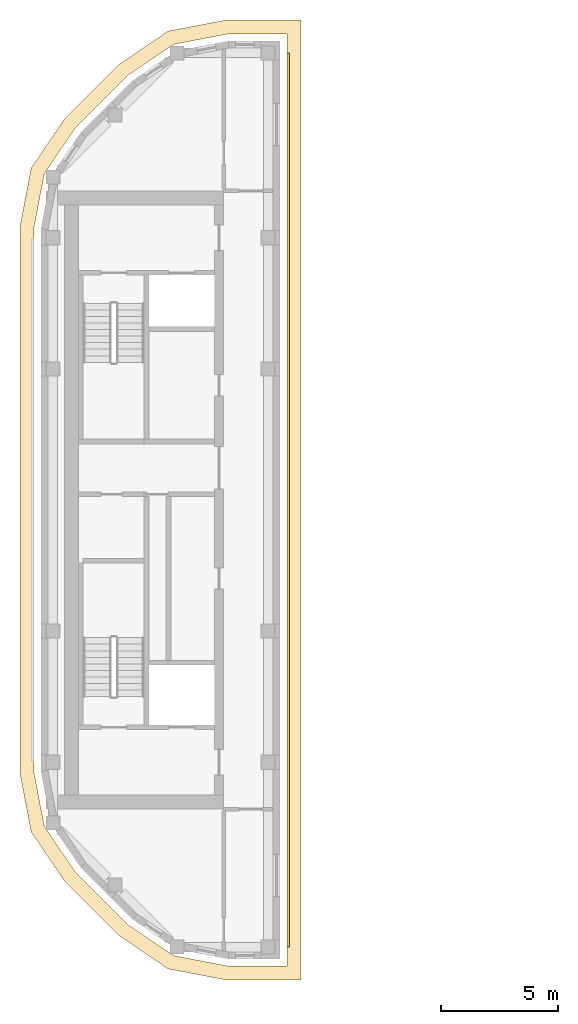
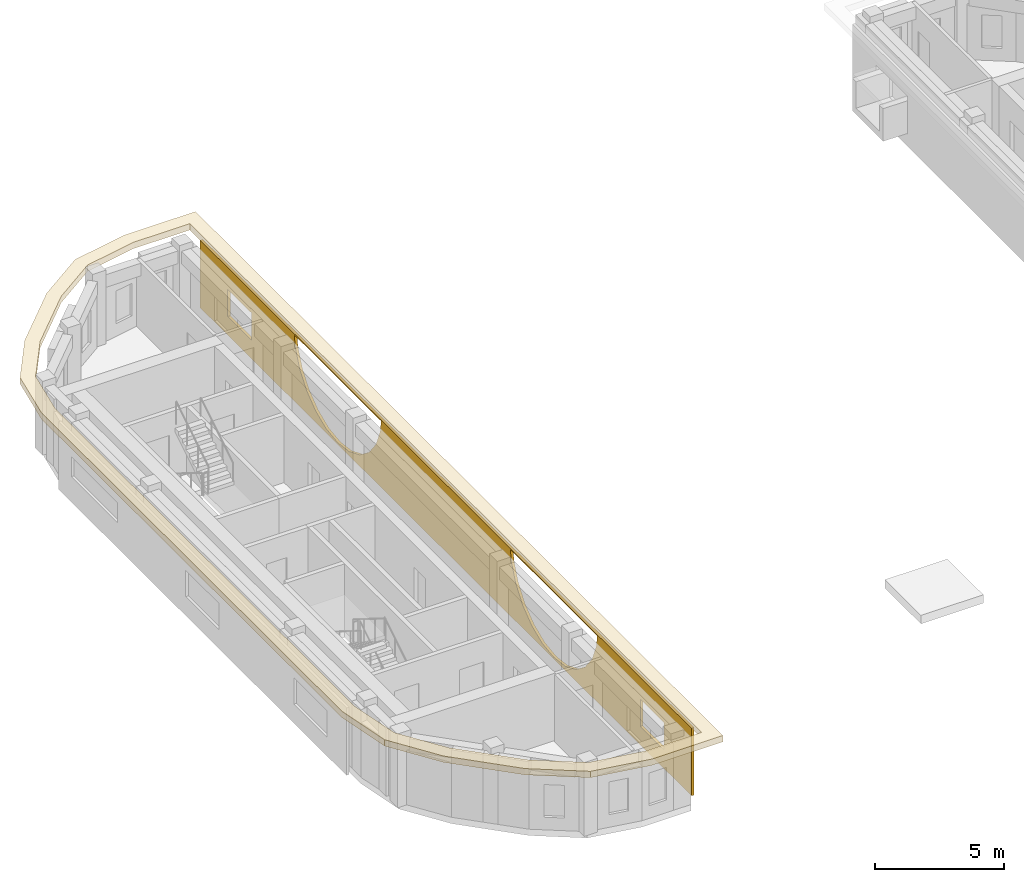
# One storey, part 7 of 11: 2 coverings.
"""IFC4 building model written with IfcOpenShell, lengths in metres."""

from ifc_helpers import new_model, si_unit, direction, frame, origin, place, context, subcontext, project, spatial, polyline, outline, extrude, material, layer, layer_set, type_object, element, save


model = new_model("IFC4")

# Units and contexts
model_context = context("Model", 3, precision=1e-05, world=origin(), true_north=direction((0.0, 1.0)))
body_context = subcontext(model_context, "Body", "Model", "MODEL_VIEW")
ifc_project = project(units=[si_unit("LENGTHUNIT", "METRE"), si_unit("AREAUNIT", "SQUARE_METRE"), si_unit("VOLUMEUNIT", "CUBIC_METRE"), si_unit("PLANEANGLEUNIT", "RADIAN"), si_unit("MASSUNIT", "GRAM", prefix="KILO")], contexts=[model_context])

# Site, building, storey
site_placement = place(None, origin())
site = spatial("IfcSite", under=ifc_project, at=site_placement, CompositionType="ELEMENT")
building_placement = place(site_placement, origin())
building = spatial("IfcBuilding", under=site, at=building_placement, Name="Kiln Ring Residences", CompositionType="ELEMENT")
storey_placement = place(building_placement, frame((0.0, 0.0, 303.39990234375)))
storey = spatial("IfcBuildingStorey", under=building, at=storey_placement, Name="L78 Crown", CompositionType="ELEMENT", Elevation=303.39990234375)

# Coverings
ifc_material_1 = material(Name="Brick masonry, dark clay brick", Category="masonry")
ifc_layer_1 = layer(ifc_material_1, 0.1201171875)
ifc_layer_set_1 = layer_set([ifc_layer_1], Name="RAINSCREEN PANEL 120")
covering_type_1 = type_object("IfcCoveringType", Name="RAINSCREEN PANEL 120", PredefinedType="CLADDING", material=ifc_layer_set_1)
covering_1_placement = place(storey_placement, frame((-14.639892578125, -19.10009765625, 0.0), z_axis=(0.0, 0.0, 1.0), x_axis=(0.0, 1.0, 0.0)))
element("IfcCovering", 1, at=covering_1_placement, inside=storey, type_object=covering_type_1, Name="RAINSCREEN L78 Crown", PredefinedType="CLADDING", context=body_context, shape_type="SweptSolid", body=[
    extrude(outline(polyline([(0.0, 0.0), (38.199951171875, 0.0), (38.199951171875, 3.2001953125), (0.0, 3.2001953125), (0.0, 0.0)]), holes=[polyline([(2.142578125, 0.880126953125), (3.982421875, 0.880126953125), (3.982421875, 2.170166015625), (2.142578125, 2.170166015625), (2.142578125, 0.880126953125)]), polyline([(36.0576171875, 0.880126953125), (36.0576171875, 2.170166015625), (34.217529296875, 2.170166015625), (34.217529296875, 0.880126953125), (36.0576171875, 0.880126953125)]), polyline([(12.409912109375, 0.538330078125), (13.118408203125, 1.081787109375), (13.661865234375, 1.7900390625), (14.00341796875, 2.614990234375), (14.073974609375, 3.150146484375), (7.326171875, 3.150146484375), (7.396484375, 2.614990234375), (7.73828125, 1.7900390625), (8.28173828125, 1.081787109375), (8.989990234375, 0.538330078125), (9.814697265625, 0.196533203125), (10.699951171875, 0.080078125), (11.585205078125, 0.196533203125), (12.409912109375, 0.538330078125)]), polyline([(29.2099609375, 0.538330078125), (29.918212890625, 1.081787109375), (30.4619140625, 1.7900390625), (30.803466796875, 2.614990234375), (30.873779296875, 3.150146484375), (24.126220703125, 3.150146484375), (24.196533203125, 2.614990234375), (24.5380859375, 1.7900390625), (25.081787109375, 1.081787109375), (25.7900390625, 0.538330078125), (26.61474609375, 0.196533203125), (27.5, 0.080078125), (28.38525390625, 0.196533203125), (29.2099609375, 0.538330078125)])]), frame((0.0, 0.06005859375, 0.0), z_axis=(0.0, -1.0, 0.0), x_axis=(1.0, 0.0, 0.0)), (0.0, 0.0, 1.0), 0.1201171875),
])
ifc_material_2 = material(Name="Black powder-coated steel", Category="steel")
ifc_layer_2 = layer(ifc_material_2, 0.300048828125)
ifc_layer_set_2 = layer_set([ifc_layer_2], Name="SUNSHADE FIN 600")
covering_type_2 = type_object("IfcCoveringType", Name="SUNSHADE FIN 600", PredefinedType="CLADDING", material=ifc_layer_set_2)
covering_2_placement = place(storey_placement, frame((0.0, 0.0, 3.2001953125)))
element("IfcCovering", 2, at=covering_2_placement, inside=storey, type_object=covering_type_2, Name="SUNSHADE FIN L78 Crown", PredefinedType="CLADDING", context=body_context, shape_type="SweptSolid", body=[
    extrude(outline(polyline([(-25.625, -14.176025390625), (-24.199462890625, -16.273193359375), (-21.873291015625, -18.599609375), (-19.77587890625, -20.02490234375), (-17.28515625, -20.5), (-14.10009765625, -20.5), (-14.10009765625, 20.5), (-17.28515625, 20.5), (-19.77587890625, 20.02490234375), (-21.873291015625, 18.599609375), (-24.199462890625, 16.273193359375), (-25.625, 14.176025390625), (-26.10009765625, 11.68505859375), (-26.10009765625, -11.68505859375), (-25.625, -14.176025390625)]), holes=[polyline([(-17.228515625, -19.89990234375), (-19.54150390625, -19.458740234375), (-21.489013671875, -18.135009765625), (-23.735107421875, -15.88916015625), (-25.058837890625, -13.94140625), (-25.5, -11.62841796875), (-25.5, 11.62841796875), (-25.058837890625, 13.94140625), (-23.735107421875, 15.88916015625), (-21.489013671875, 18.135009765625), (-19.54150390625, 19.458740234375), (-17.228515625, 19.89990234375), (-14.699951171875, 19.89990234375), (-14.699951171875, -19.89990234375), (-17.228515625, -19.89990234375)])]), origin(), (0.0, 0.0, 1.0), 0.2998046875),
])

save(model, "model.ifc")
